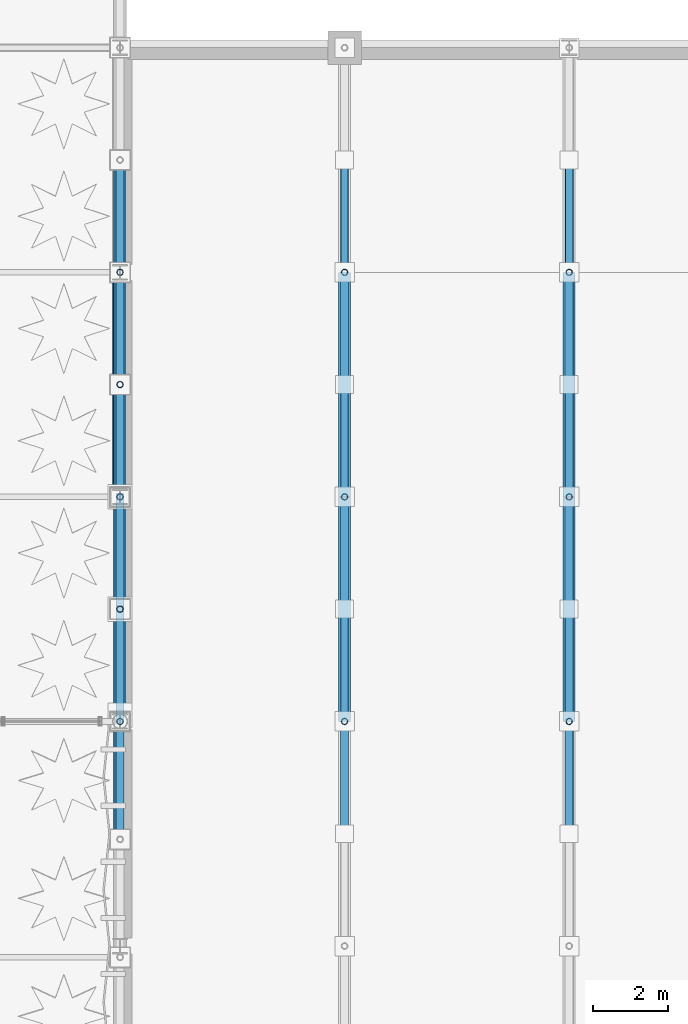
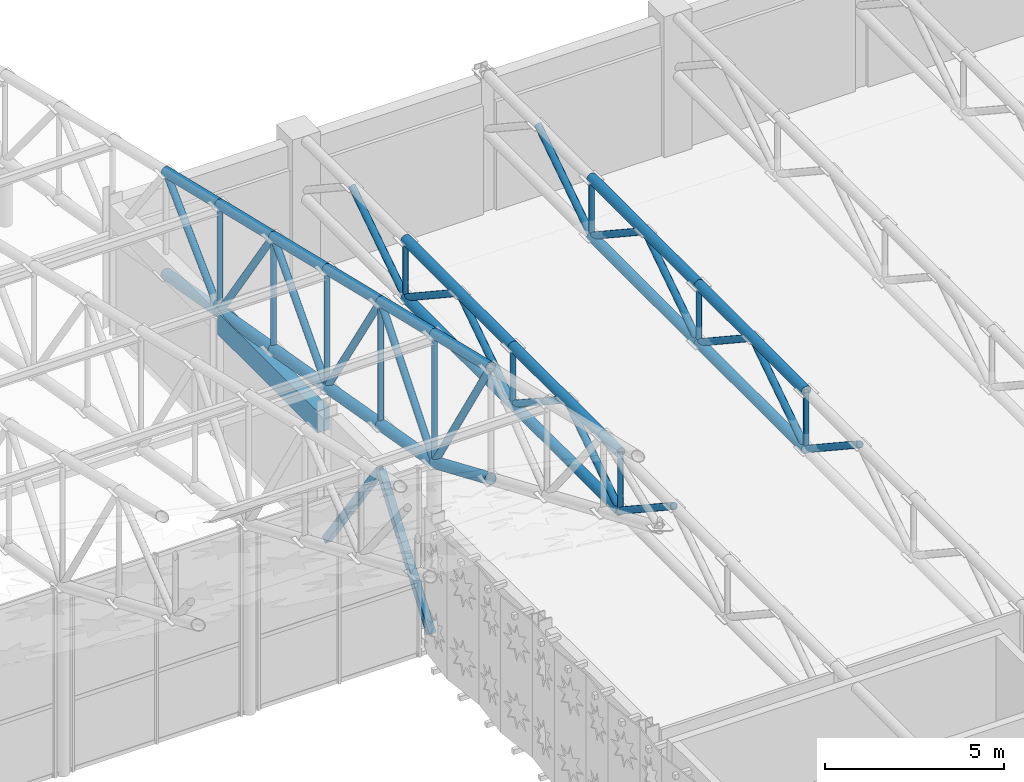
# One storey, part 25 of 123: 51 members, 1 beam.
"""IFC4 building model written with IfcOpenShell, lengths in metres."""

from ifc_helpers import new_model, si_unit, direction, frame, origin, origin_2d, place, context, subcontext, project, spatial, rectangle, hollow_rectangle, hollow_circle, extrude, material, material_profile, profile_set, type_object, element, save


model = new_model("IFC4")

# Units and contexts
model_context = context("Model", 3, precision=1e-05, world=origin(), true_north=direction((0.0, 1.0)))
body_context = subcontext(model_context, "Body", "Model", "MODEL_VIEW")
ifc_project = project(units=[si_unit("LENGTHUNIT", "METRE"), si_unit("AREAUNIT", "SQUARE_METRE"), si_unit("VOLUMEUNIT", "CUBIC_METRE"), si_unit("PLANEANGLEUNIT", "RADIAN"), si_unit("MASSUNIT", "GRAM", prefix="KILO"), si_unit("THERMODYNAMICTEMPERATUREUNIT", "KELVIN"), si_unit("POWERUNIT", "WATT")], contexts=[model_context])

# Site, building, storey
site_placement = place(None, origin())
site = spatial("IfcSite", under=ifc_project, at=site_placement, CompositionType="ELEMENT")
building_placement = place(site_placement, origin())
building = spatial("IfcBuilding", under=site, at=building_placement, Name="Phaisarnlok Congress Hotel", CompositionType="ELEMENT")
storey_placement = place(building_placement, frame((0.0, 0.0, 15.0)))
storey = spatial("IfcBuildingStorey", under=building, at=storey_placement, Name="L03", CompositionType="ELEMENT", Elevation=15.0)

# Members
ifc_material_1 = material(Name="Steel S355", Category="steel")
ifc_material_profile_1 = material_profile(ifc_material_1, hollow_circle(Radius=0.084228515625, WallThickness=0.010009765625, at=origin_2d()), Name="CHS 168.3x10")
ifc_profile_set_1 = profile_set([ifc_material_profile_1], Name="Steel S355")
member_type_1 = type_object("IfcMemberType", Name="MEM-BRC-CHS168", PredefinedType="BRACE", material=ifc_profile_set_1)
for number, where, z_axis, x_axis, name in (
    (1, (102.0, 18.0, 2.64990234375), (0.0, 0.0, 1.0), (1.0, 0.0, 0.0), "Ballroom truss vertical web TB-01"),
    (2, (102.0, 24.0, 2.64990234375), (0.0, 0.0, 1.0), (1.0, 0.0, 0.0), "Ballroom truss vertical web TB-01"),
    (3, (102.0, 30.0, 2.64990234375), (0.0, 0.0, 1.0), (1.0, 0.0, 0.0), "Ballroom truss vertical web TB-01"),
    (4, (108.0, 18.0, 2.64990234375), (0.0, 0.0, 1.0), (1.0, 0.0, 0.0), "Ballroom truss vertical web TB-01"),
    (5, (108.0, 24.0, 2.64990234375), (0.0, 0.0, 1.0), (1.0, 0.0, 0.0), "Ballroom truss vertical web TB-01"),
    (6, (108.0, 30.0, 2.64990234375), (0.0, 0.0, 1.0), (1.0, 0.0, 0.0), "Ballroom truss vertical web TB-01"),
):
    element("IfcMember", number, at=place(storey_placement, frame(where, z_axis=z_axis, x_axis=x_axis)), inside=storey, type_object=member_type_1, Name=name, PredefinedType="BRACE", context=body_context, shape_type="SweptSolid", body=[
        extrude(hollow_circle(Radius=0.084228515625, WallThickness=0.010009765625, at=origin_2d()), origin(), (0.0, 0.0, 1.0), 1.97998046875),
    ])
member_1_placement = place(storey_placement, frame((96.0, 30.0, 4.2666015625), z_axis=(0.0, 0.0, 1.0), x_axis=(1.0, 0.0, 0.0)))
element("IfcMember", 7, at=member_1_placement, inside=storey, type_object=member_type_1, Name="South wing roof truss vertical web", PredefinedType="BRACE", context=body_context, shape_type="SweptSolid", body=[
    extrude(hollow_circle(Radius=0.084228515625, WallThickness=0.010009765625, at=origin_2d()), origin(), (0.0, 0.0, 1.0), 3.661865234375),
])
member_2_placement = place(storey_placement, frame((96.0, 27.0, 4.800048828125), z_axis=(0.0, 0.0, 1.0), x_axis=(1.0, 0.0, 0.0)))
element("IfcMember", 8, at=member_2_placement, inside=storey, type_object=member_type_1, Name="South wing roof truss vertical web", PredefinedType="BRACE", context=body_context, shape_type="SweptSolid", body=[
    extrude(hollow_circle(Radius=0.084228515625, WallThickness=0.010009765625, at=origin_2d()), origin(), (0.0, 0.0, 1.0), 3.844482421875),
])
member_3_placement = place(storey_placement, frame((96.0, 24.0, 5.333251953125), z_axis=(0.0, 0.0, 1.0), x_axis=(1.0, 0.0, 0.0)))
element("IfcMember", 9, at=member_3_placement, inside=storey, type_object=member_type_1, Name="South wing roof truss vertical web", PredefinedType="BRACE", context=body_context, shape_type="SweptSolid", body=[
    extrude(hollow_circle(Radius=0.084228515625, WallThickness=0.010009765625, at=origin_2d()), origin(), (0.0, 0.0, 1.0), 4.02734375),
])
member_4_placement = place(storey_placement, frame((96.0, 21.0, 5.86669921875), z_axis=(0.0, 0.0, 1.0), x_axis=(1.0, 0.0, 0.0)))
element("IfcMember", 10, at=member_4_placement, inside=storey, type_object=member_type_1, Name="South wing roof truss vertical web", PredefinedType="BRACE", context=body_context, shape_type="SweptSolid", body=[
    extrude(hollow_circle(Radius=0.084228515625, WallThickness=0.010009765625, at=origin_2d()), origin(), (0.0, 0.0, 1.0), 4.2099609375),
])
member_5_placement = place(storey_placement, frame((96.0, 18.0, 6.39990234375), z_axis=(0.0, 0.0, 1.0), x_axis=(1.0, 0.0, 0.0)))
element("IfcMember", 11, at=member_5_placement, inside=storey, type_object=member_type_1, Name="South wing roof truss vertical web", PredefinedType="BRACE", context=body_context, shape_type="SweptSolid", body=[
    extrude(hollow_circle(Radius=0.084228515625, WallThickness=0.010009765625, at=origin_2d()), origin(), (0.0, 0.0, 1.0), 4.392578125),
])
ifc_material_profile_2 = material_profile(ifc_material_1, hollow_circle(Radius=0.109619140625, WallThickness=0.012451171875, at=origin_2d()), Name="CHS 219.1x12.5")
ifc_profile_set_2 = profile_set([ifc_material_profile_2], Name="Steel S355")
member_type_2 = type_object("IfcMemberType", Name="MEM-BRC-CHS219", PredefinedType="BRACE", material=ifc_profile_set_2)
for number, where, z_axis, x_axis, name in (
    (12, (102.0, 18.0, 2.64990234375), (0.0, -0.834611904619, 0.550838423377), (1.0, 0.0, 0.0), "Ballroom truss diagonal web TB-02"),
    (13, (102.0, 18.0, 2.64990234375), (0.0, 0.834611904619, 0.550838423377), (-1.0, 0.0, 0.0), "Ballroom truss diagonal web TB-02"),
    (14, (102.0, 24.0, 2.64990234375), (0.0, -0.834611904619, 0.550838423377), (1.0, 0.0, 0.0), "Ballroom truss diagonal web TB-02"),
    (15, (102.0, 24.0, 2.64990234375), (0.0, 0.834611904619, 0.550838423377), (-1.0, 0.0, 0.0), "Ballroom truss diagonal web TB-02"),
    (16, (102.0, 30.0, 2.64990234375), (0.0, -0.834611904619, 0.550838423377), (1.0, 0.0, 0.0), "Ballroom truss diagonal web TB-02"),
    (17, (102.0, 30.0, 2.64990234375), (0.0, 0.834611904619, 0.550838423377), (-1.0, 0.0, 0.0), "Ballroom truss diagonal web TB-02"),
    (18, (108.0, 18.0, 2.64990234375), (0.0, -0.834611904619, 0.550838423377), (1.0, 0.0, 0.0), "Ballroom truss diagonal web TB-02"),
    (19, (108.0, 18.0, 2.64990234375), (0.0, 0.834611904619, 0.550838423377), (-1.0, 0.0, 0.0), "Ballroom truss diagonal web TB-02"),
    (20, (108.0, 24.0, 2.64990234375), (0.0, -0.834611904619, 0.550838423377), (1.0, 0.0, 0.0), "Ballroom truss diagonal web TB-02"),
    (21, (108.0, 24.0, 2.64990234375), (0.0, 0.834611904619, 0.550838423377), (-1.0, 0.0, 0.0), "Ballroom truss diagonal web TB-02"),
    (22, (108.0, 30.0, 2.64990234375), (0.0, -0.834611904619, 0.550838423377), (1.0, 0.0, 0.0), "Ballroom truss diagonal web TB-02"),
    (23, (108.0, 30.0, 2.64990234375), (0.0, 0.834611904619, 0.550838423377), (-1.0, 0.0, 0.0), "Ballroom truss diagonal web TB-02"),
):
    element("IfcMember", number, at=place(storey_placement, frame(where, z_axis=z_axis, x_axis=x_axis)), inside=storey, type_object=member_type_2, Name=name, PredefinedType="BRACE", context=body_context, shape_type="SweptSolid", body=[
        extrude(hollow_circle(Radius=0.109619140625, WallThickness=0.012451171875, at=origin_2d()), origin(), (0.0, 0.0, 1.0), 3.594482421875),
    ])
member_6_placement = place(storey_placement, frame((96.0, 30.0, 4.2666015625), z_axis=(0.0, 0.713522801545, 0.700632008743), x_axis=(-1.0, 0.0, 0.0)))
element("IfcMember", 24, at=member_6_placement, inside=storey, type_object=member_type_2, Name="South wing roof truss diagonal brace", PredefinedType="BRACE", context=body_context, shape_type="SweptSolid", body=[
    extrude(hollow_circle(Radius=0.109619140625, WallThickness=0.012451171875, at=origin_2d()), origin(), (0.0, 0.0, 1.0), 4.20458984375),
])
member_7_placement = place(storey_placement, frame((96.0, 30.0, 4.2666015625), z_axis=(0.0, -0.565270860613, 0.824905360718), x_axis=(1.0, 0.0, 0.0)))
element("IfcMember", 25, at=member_7_placement, inside=storey, type_object=member_type_2, Name="South wing roof truss diagonal brace", PredefinedType="BRACE", context=body_context, shape_type="SweptSolid", body=[
    extrude(hollow_circle(Radius=0.109619140625, WallThickness=0.012451171875, at=origin_2d()), origin(), (0.0, 0.0, 1.0), 5.30712890625),
])
member_8_placement = place(storey_placement, frame((96.0, 24.0, 5.333251953125), z_axis=(0.0, 0.671415353237, 0.741081252926), x_axis=(-1.0, 0.0, 0.0)))
element("IfcMember", 26, at=member_8_placement, inside=storey, type_object=member_type_2, Name="South wing roof truss diagonal brace", PredefinedType="BRACE", context=body_context, shape_type="SweptSolid", body=[
    extrude(hollow_circle(Radius=0.109619140625, WallThickness=0.012451171875, at=origin_2d()), origin(), (0.0, 0.0, 1.0), 4.46826171875),
])
member_9_placement = place(storey_placement, frame((96.0, 24.0, 5.333251953125), z_axis=(0.0, -0.534523150864, 0.845153832856), x_axis=(1.0, 0.0, 0.0)))
element("IfcMember", 27, at=member_9_placement, inside=storey, type_object=member_type_2, Name="South wing roof truss diagonal brace", PredefinedType="BRACE", context=body_context, shape_type="SweptSolid", body=[
    extrude(hollow_circle(Radius=0.109619140625, WallThickness=0.012451171875, at=origin_2d()), origin(), (0.0, 0.0, 1.0), 5.612548828125),
])
member_10_placement = place(storey_placement, frame((96.0, 18.0, 6.39990234375), z_axis=(0.0, 0.632195008814, 0.77480931256), x_axis=(-1.0, 0.0, 0.0)))
element("IfcMember", 28, at=member_10_placement, inside=storey, type_object=member_type_2, Name="South wing roof truss diagonal brace", PredefinedType="BRACE", context=body_context, shape_type="SweptSolid", body=[
    extrude(hollow_circle(Radius=0.109619140625, WallThickness=0.012451171875, at=origin_2d()), origin(), (0.0, 0.0, 1.0), 4.745361328125),
])
ifc_material_profile_3 = material_profile(ifc_material_1, hollow_circle(Radius=0.109619140625, WallThickness=0.012451171875, at=origin_2d()), Name="CHS 219.1x12.5")
ifc_profile_set_3 = profile_set([ifc_material_profile_3], Name="Steel S355")
member_type_3 = type_object("IfcMemberType", Name="MEM-BRC-CHS219-EXT", PredefinedType="BRACE", material=ifc_profile_set_3)
member_11_placement = place(storey_placement, frame((96.0, 18.0, 6.39990234375), z_axis=(0.0, -0.522176688857, 0.852837326584), x_axis=(1.0, 0.0, 0.0)))
element("IfcMember", 29, at=member_11_placement, inside=storey, type_object=member_type_3, Name="South wing roof truss diagonal brace", PredefinedType="BRACE", context=body_context, shape_type="SweptSolid", body=[
    extrude(hollow_circle(Radius=0.109619140625, WallThickness=0.012451171875, at=origin_2d()), origin(), (0.0, 0.0, 1.0), 6.0322265625),
])
ifc_material_profile_4 = material_profile(ifc_material_1, hollow_rectangle(XDim=0.219970703125, YDim=0.219970703125, WallThickness=0.012451171875, at=origin_2d()), Name="SHS 220x220x12.5")
ifc_profile_set_4 = profile_set([ifc_material_profile_4], Name="Steel S355")
member_type_4 = type_object("IfcMemberType", Name="MEM-BRC-SHS220", PredefinedType="BRACE", material=ifc_profile_set_4)
member_12_placement = place(storey_placement, frame((96.0, 18.169921875, 0.449951171875), z_axis=(0.0, 0.589283473946, 0.807926350192), x_axis=(-1.0, 0.0, 0.0)))
element("IfcMember", 30, at=member_12_placement, inside=storey, type_object=member_type_4, Name="Lateral braced frame diagonal", PredefinedType="BRACE", context=body_context, shape_type="SweptSolid", body=[
    extrude(hollow_rectangle(XDim=0.219970703125, YDim=0.219970703125, WallThickness=0.012451171875, at=origin_2d()), origin(), (0.0, 0.0, 1.0), 4.802490234375),
])
member_13_placement = place(storey_placement, frame((96.0, 24.0, 0.14990234375), z_axis=(0.0, -0.583059052244, 0.812429776409), x_axis=(1.0, 0.0, 0.0)))
element("IfcMember", 31, at=member_13_placement, inside=storey, type_object=member_type_4, Name="Lateral braced frame diagonal", PredefinedType="BRACE", context=body_context, shape_type="SweptSolid", body=[
    extrude(hollow_rectangle(XDim=0.219970703125, YDim=0.219970703125, WallThickness=0.012451171875, at=origin_2d()), origin(), (0.0, 0.0, 1.0), 5.145263671875),
])
ifc_material_profile_5 = material_profile(ifc_material_1, hollow_circle(Radius=0.161865234375, WallThickness=0.01611328125, at=origin_2d()), Name="CHS 323.9x16")
ifc_profile_set_5 = profile_set([ifc_material_profile_5], Name="Steel S355")
member_type_5 = type_object("IfcMemberType", Name="MEM-CHD-CHS324", PredefinedType="CHORD", material=ifc_profile_set_5)
for number, where, z_axis, x_axis, name in (
    (32, (102.0, 18.0, 4.6298828125), (0.0, 1.0, 0.0), (-1.0, 0.0, 0.0), "Ballroom truss top chord TC-02"),
    (33, (102.0, 18.0, 2.64990234375), (0.0, 1.0, 0.0), (-1.0, 0.0, 0.0), "Ballroom truss bottom chord TC-02"),
    (34, (102.0, 24.0, 4.6298828125), (0.0, 1.0, 0.0), (-1.0, 0.0, 0.0), "Ballroom truss top chord TC-02"),
    (35, (102.0, 24.0, 2.64990234375), (0.0, 1.0, 0.0), (-1.0, 0.0, 0.0), "Ballroom truss bottom chord TC-02"),
    (36, (108.0, 18.0, 4.6298828125), (0.0, 1.0, 0.0), (-1.0, 0.0, 0.0), "Ballroom truss top chord TC-02"),
    (37, (108.0, 18.0, 2.64990234375), (0.0, 1.0, 0.0), (-1.0, 0.0, 0.0), "Ballroom truss bottom chord TC-02"),
    (38, (108.0, 24.0, 4.6298828125), (0.0, 1.0, 0.0), (-1.0, 0.0, 0.0), "Ballroom truss top chord TC-02"),
    (39, (108.0, 24.0, 2.64990234375), (0.0, 1.0, 0.0), (-1.0, 0.0, 0.0), "Ballroom truss bottom chord TC-02"),
):
    element("IfcMember", number, at=place(storey_placement, frame(where, z_axis=z_axis, x_axis=x_axis)), inside=storey, type_object=member_type_5, Name=name, PredefinedType="CHORD", context=body_context, shape_type="SweptSolid", body=[
        extrude(hollow_circle(Radius=0.161865234375, WallThickness=0.01611328125, at=origin_2d()), origin(), (0.0, 0.0, 1.0), 6.0),
    ])
for number, where, z_axis, x_axis, name in (
    (40, (96.0, 33.0, 7.21240234375), (0.0, -0.972676115692, 0.232166263617), (1.0, 0.0, 0.0), "South wing roof truss top chord"),
    (41, (96.0, 30.0, 7.928466796875), (0.0, -0.972676115692, 0.232166263617), (1.0, 0.0, 0.0), "South wing roof truss top chord"),
    (42, (96.0, 27.0, 8.64453125), (0.0, -0.972676115692, 0.232166263617), (1.0, 0.0, 0.0), "South wing roof truss top chord"),
    (43, (96.0, 24.0, 9.360595703125), (0.0, -0.972676115692, 0.232166263617), (1.0, 0.0, 0.0), "South wing roof truss top chord"),
    (44, (96.0, 21.0, 10.07666015625), (0.0, -0.972693988482, 0.232091371601), (1.0, 0.0, 0.0), "South wing roof truss top chord"),
):
    element("IfcMember", number, at=place(storey_placement, frame(where, z_axis=z_axis, x_axis=x_axis)), inside=storey, type_object=member_type_5, Name=name, PredefinedType="CHORD", context=body_context, shape_type="SweptSolid", body=[
        extrude(hollow_circle(Radius=0.161865234375, WallThickness=0.01611328125, at=origin_2d()), origin(), (0.0, 0.0, 1.0), 3.084228515625),
    ])
ifc_material_profile_6 = material_profile(ifc_material_1, hollow_circle(Radius=0.161865234375, WallThickness=0.01611328125, at=origin_2d()), Name="CHS 323.9x16")
ifc_profile_set_6 = profile_set([ifc_material_profile_6], Name="Steel S355")
member_type_6 = type_object("IfcMemberType", Name="MEM-CHD-CHS324-EXT", PredefinedType="CHORD", material=ifc_profile_set_6)
member_14_placement = place(storey_placement, frame((96.0, 18.0, 10.79248046875), z_axis=(0.0, -0.972668531165, 0.232198037203), x_axis=(1.0, 0.0, 0.0)))
element("IfcMember", 45, at=member_14_placement, inside=storey, type_object=member_type_6, Name="South wing roof truss top chord", PredefinedType="CHORD", context=body_context, shape_type="SweptSolid", body=[
    extrude(hollow_circle(Radius=0.161865234375, WallThickness=0.01611328125, at=origin_2d()), origin(), (0.0, 0.0, 1.0), 3.238525390625),
])
ifc_material_profile_7 = material_profile(ifc_material_1, hollow_circle(Radius=0.177734375, WallThickness=0.02001953125, at=origin_2d()), Name="CHS 355.6x20")
ifc_profile_set_7 = profile_set([ifc_material_profile_7], Name="Steel S355")
member_type_7 = type_object("IfcMemberType", Name="MEM-CHD-CHS356", PredefinedType="CHORD", material=ifc_profile_set_7)
for number, where, z_axis, x_axis, name in (
    (46, (96.0, 33.0, 3.7333984375), (0.0, -0.984569871158, 0.174991910694), (1.0, 0.0, 0.0), "South wing roof truss bottom chord"),
    (47, (96.0, 30.0, 4.2666015625), (0.0, -0.984556063496, 0.175069579976), (1.0, 0.0, 0.0), "South wing roof truss bottom chord"),
    (48, (96.0, 27.0, 4.800048828125), (0.0, -0.984569871158, 0.174991910694), (1.0, 0.0, 0.0), "South wing roof truss bottom chord"),
    (49, (96.0, 24.0, 5.333251953125), (0.0, -0.984556063496, 0.175069579976), (1.0, 0.0, 0.0), "South wing roof truss bottom chord"),
    (50, (96.0, 21.0, 5.86669921875), (0.0, -0.984569871158, 0.174991910694), (1.0, 0.0, 0.0), "South wing roof truss bottom chord"),
):
    element("IfcMember", number, at=place(storey_placement, frame(where, z_axis=z_axis, x_axis=x_axis)), inside=storey, type_object=member_type_7, Name=name, PredefinedType="CHORD", context=body_context, shape_type="SweptSolid", body=[
        extrude(hollow_circle(Radius=0.177734375, WallThickness=0.02001953125, at=origin_2d()), origin(), (0.0, 0.0, 1.0), 3.047119140625),
    ])
ifc_material_profile_8 = material_profile(ifc_material_1, hollow_circle(Radius=0.177734375, WallThickness=0.02001953125, at=origin_2d()), Name="CHS 355.6x20")
ifc_profile_set_8 = profile_set([ifc_material_profile_8], Name="Steel S355")
member_type_8 = type_object("IfcMemberType", Name="MEM-CHD-CHS356-EXT", PredefinedType="CHORD", material=ifc_profile_set_8)
member_15_placement = place(storey_placement, frame((96.0, 18.0, 6.39990234375), z_axis=(0.0, -0.919130290196, 0.393953689721), x_axis=(1.0, 0.0, 0.0)))
element("IfcMember", 51, at=member_15_placement, inside=storey, type_object=member_type_8, Name="South wing roof truss bottom chord", PredefinedType="CHORD", context=body_context, shape_type="SweptSolid", body=[
    extrude(hollow_circle(Radius=0.177734375, WallThickness=0.02001953125, at=origin_2d()), origin(), (0.0, 0.0, 1.0), 3.427001953125),
])

# Beam
ifc_material_2 = material(Name="Concrete C40/50", Category="concrete")
ifc_material_profile_9 = material_profile(ifc_material_2, rectangle(XDim=0.39990234375, YDim=0.75, at=origin_2d()), Name="RC 400x750")
ifc_profile_set_9 = profile_set([ifc_material_profile_9], Name="Concrete C40/50")
beam_type = type_object("IfcBeamType", Name="SP-RC-400x750", PredefinedType="SPANDREL", material=ifc_profile_set_9)
beam_placement = place(storey_placement, frame((96.0, 24.202880859375, 4.074951171875), z_axis=(0.0, 1.0, 0.0), x_axis=(-1.0, 0.0, 0.0)))
element("IfcBeam", 52, at=beam_placement, inside=storey, type_object=beam_type, Name="Beam SP-02", PredefinedType="SPANDREL", context=body_context, shape_type="SweptSolid", body=[
    extrude(rectangle(XDim=0.39990234375, YDim=0.75, at=origin_2d()), origin(), (0.0, 0.0, 1.0), 5.59423828125),
])

save(model, "model.ifc")
